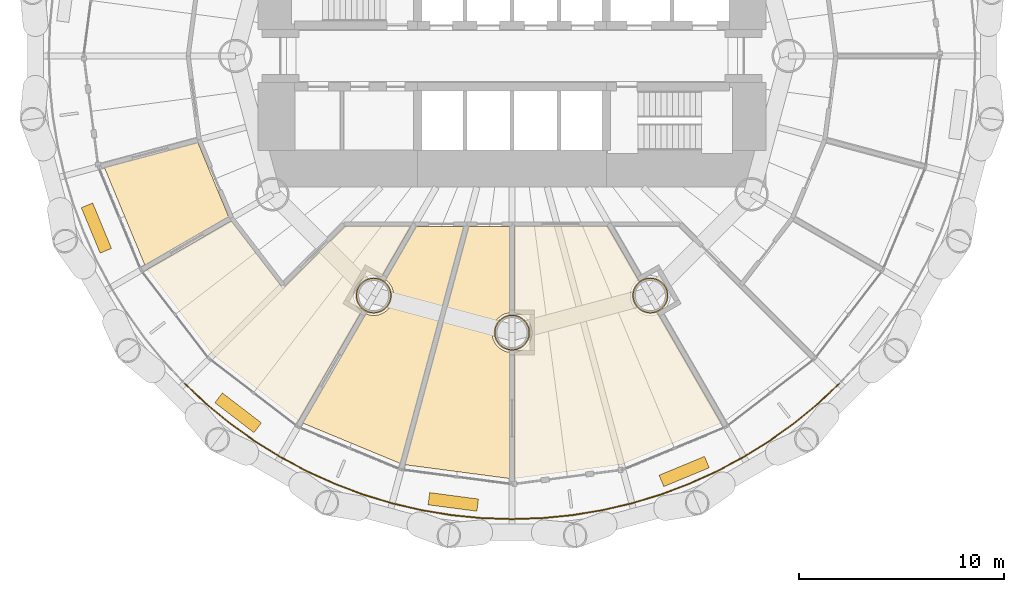
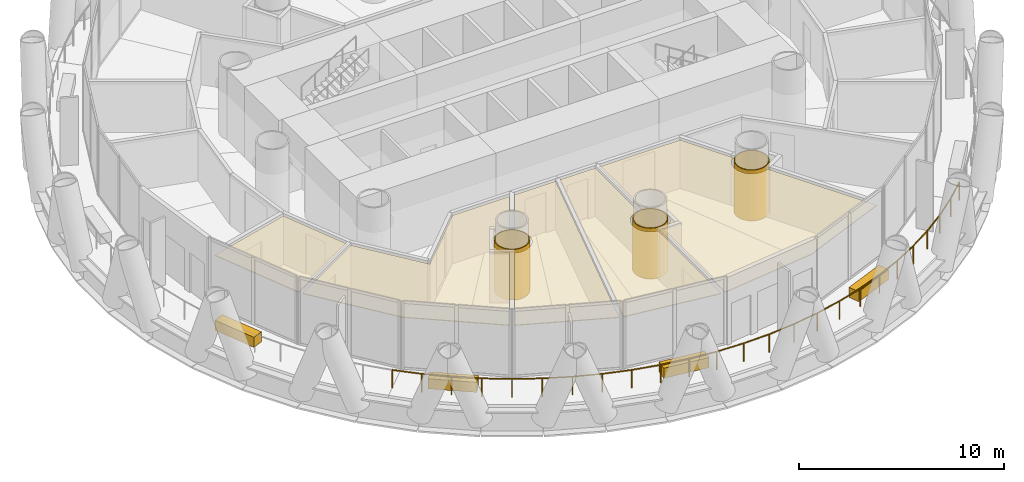
# One storey, part 13 of 15: 12 coverings, 1 railing.
"""IFC4 building model written with IfcOpenShell, lengths in metres."""

import ifcopenshell
import ifcopenshell.guid

model = None  # the IFC model being written
_history = None  # IfcOwnerHistory: only IFC2X3 demands one
_inside = {}  # id of a spatial element -> (the spatial element, [elements in it])
_under = {}  # id of a project, library or spatial element -> (it, [spatial elements below it])
_declared = {}  # id of a project -> (the project, [libraries it declares])
_typed = {}  # id of a type object -> (the type object, [elements of that type])
_made_of = {}  # id of a material, layer set ... -> (it, [elements and type objects made of it])


def new_model(schema):
    """Start an empty IFC model of exactly this schema.

    Asked for "IFC4X3", IfcOpenShell would pick the latest addendum, in which some entities
    have other attributes; the version numbers below select the first issue.
    IFC2X3 requires an IfcOwnerHistory on every rooted entity: one is made here for all.
    """
    global model, _history
    if schema == "IFC4X3":
        model = ifcopenshell.file(schema_version=(4, 3, 0, 0))
    else:
        model = ifcopenshell.file(schema=schema)
    _inside.clear()
    _under.clear()
    _declared.clear()
    _typed.clear()
    _made_of.clear()
    _history = None
    if model.schema == "IFC2X3":
        org = make("IfcOrganization", Name="unknown")
        user = make(
            "IfcPersonAndOrganization",
            ThePerson=make("IfcPerson", FamilyName="unknown"),
            TheOrganization=org,
        )
        app = make(
            "IfcApplication",
            ApplicationDeveloper=org,
            Version="unknown",
            ApplicationFullName="unknown",
            ApplicationIdentifier="unknown",
        )
        _history = make(
            "IfcOwnerHistory",
            OwningUser=user,
            OwningApplication=app,
            ChangeAction="ADDED",
            CreationDate=0,
        )
    return model


def make(cls, **values):
    """One entity of the class cls with the attributes given. An attribute that is None is left unset."""
    return model.create_entity(
        cls, **{name: value for name, value in values.items() if value is not None}
    )


def rooted(cls, **values):
    """An entity with a GlobalId (a new one), such as an element, a storey or a relation."""
    return make(cls, GlobalId=ifcopenshell.guid.new(), OwnerHistory=_history, **values)


def si_unit(unit_type, name, prefix=None):
    """IfcSIUnit, for example si_unit("LENGTHUNIT", "METRE", prefix="MILLI")."""
    return make("IfcSIUnit", UnitType=unit_type, Prefix=prefix, Name=name)


def assignment(units):
    """IfcUnitAssignment: the units of a project."""
    return None if units is None else make("IfcUnitAssignment", Units=units)


def point(xyz):
    """IfcCartesianPoint."""
    return None if xyz is None else make("IfcCartesianPoint", Coordinates=xyz)


def direction(xyz):
    """IfcDirection."""
    return None if xyz is None else make("IfcDirection", DirectionRatios=xyz)


def frame(location, z_axis=None, x_axis=None):
    """IfcAxis2Placement3D, a coordinate frame: its origin and axes. An axis left out is left unset."""
    return make(
        "IfcAxis2Placement3D",
        Location=point(location),
        Axis=direction(z_axis),
        RefDirection=direction(x_axis),
    )


def frame_2d(location, x_axis=None):
    """IfcAxis2Placement2D, a coordinate frame in the plane: its origin and x axis."""
    return make(
        "IfcAxis2Placement2D", Location=point(location), RefDirection=direction(x_axis)
    )


def origin():
    """The frame at (0, 0, 0) with its axes left unset."""
    return frame((0.0, 0.0, 0.0))


def origin_2d():
    """The frame at (0, 0) in the plane with its x axis left unset."""
    return frame_2d((0.0, 0.0))


def place(relative_to, where):
    """IfcLocalPlacement: puts the frame where relative to a parent placement (None: the world)."""
    return make(
        "IfcLocalPlacement", PlacementRelTo=relative_to, RelativePlacement=where
    )


def context(
    kind, dimensions, precision=None, world=None, true_north=None, identifier=None
):
    """IfcGeometricRepresentationContext, for example the 3D "Model" context."""
    return make(
        "IfcGeometricRepresentationContext",
        ContextIdentifier=identifier,
        ContextType=kind,
        CoordinateSpaceDimension=dimensions,
        Precision=precision,
        WorldCoordinateSystem=world,
        TrueNorth=true_north,
    )


def subcontext(parent, identifier, kind, view, scale=None):
    """IfcGeometricRepresentationSubContext, for example "Body" below "Model"."""
    return make(
        "IfcGeometricRepresentationSubContext",
        ContextIdentifier=identifier,
        ContextType=kind,
        ParentContext=parent,
        TargetScale=scale,
        TargetView=view,
    )


def project(units=None, contexts=None):
    """IfcProject with its units and contexts."""
    return rooted(
        "IfcProject",
        Name="project",
        RepresentationContexts=contexts,
        UnitsInContext=assignment(units),
    )


def spatial(cls, under=None, at=None, **own):
    """A site, building, storey or space (cls), placed at a placement, below another one or the project."""
    s = rooted(cls, ObjectPlacement=at, **own)
    if under is not None:
        _under.setdefault(under.id(), (under, []))[1].append(s)
    return s


def polyline(points):
    """IfcPolyline through the points."""
    return make("IfcPolyline", Points=[point(p) for p in points])


def profile(cls, at=None, kind="AREA", **sizes):
    """A parametric profile (cls). Its sizes go by their IFC names, for example OverallWidth=200.0."""
    return make(cls, ProfileType=kind, Position=at, **sizes)


def rectangle(**sizes):
    """IfcRectangleProfileDef."""
    return profile("IfcRectangleProfileDef", **sizes)


def circle(**sizes):
    """IfcCircleProfileDef."""
    return profile("IfcCircleProfileDef", **sizes)


def outline(outer, holes=None, kind="AREA"):
    """IfcArbitraryClosedProfileDef: a profile drawn as a closed curve; with holes, ...WithVoids."""
    if holes is None:
        return make("IfcArbitraryClosedProfileDef", ProfileType=kind, OuterCurve=outer)
    return make(
        "IfcArbitraryProfileDefWithVoids",
        ProfileType=kind,
        OuterCurve=outer,
        InnerCurves=holes,
    )


def extrude(swept, where, along, depth):
    """IfcExtrudedAreaSolid: the profile swept, set in the frame where, extruded along a direction by depth."""
    return make(
        "IfcExtrudedAreaSolid",
        SweptArea=swept,
        Position=where,
        ExtrudedDirection=direction(along),
        Depth=depth,
    )


def shape(context_of_items, identifier, shape_type, items):
    """IfcShapeRepresentation: the items that make up one representation, for example the "Body"."""
    return make(
        "IfcShapeRepresentation",
        ContextOfItems=context_of_items,
        RepresentationIdentifier=identifier,
        RepresentationType=shape_type,
        Items=items,
    )


def material(Name=None, Category=None):
    """IfcMaterial."""
    return make("IfcMaterial", Name=Name, Category=Category)


def layer(
    of_material, thickness, ventilated=None, Name=None, Category=None, Priority=None
):
    """IfcMaterialLayer: one layer of a wall or slab, of a material (None: an air gap)."""
    return make(
        "IfcMaterialLayer",
        Material=of_material,
        LayerThickness=thickness,
        IsVentilated=ventilated,
        Name=Name,
        Category=Category,
        Priority=Priority,
    )


def layer_set(layers, Name=None):
    """IfcMaterialLayerSet."""
    return make("IfcMaterialLayerSet", MaterialLayers=layers, LayerSetName=Name)


def made_of(thing, what):
    """Note that an element or type object is made of a material, layer set ...; save() writes the relation."""
    if what is not None:
        _made_of.setdefault(what.id(), (what, []))[1].append(thing)
    return thing


def type_object(cls, material=None, **own):
    """A type object (cls), such as IfcWallType, which elements share."""
    return made_of(rooted(cls, **own), material)


def element(
    cls,
    number,
    at=None,
    inside=None,
    cuts=None,
    type_object=None,
    material=None,
    context=None,
    identifier="Body",
    shape_type=None,
    held_by="IfcProductDefinitionShape",
    body=None,
    shapes=None,
    **own,
):
    """One element of the class cls, such as IfcWall. Its Tag is "e" and its number.

    at: its placement. inside: the storey or other place that contains it. cuts: it is an
    opening in that element (IfcRelVoidsElement). A single representation is given by context,
    identifier, shape_type and body (its items); several are given by shapes. held_by: the class
    of the entity that holds the representations. save() writes the other relations.
    """
    e = rooted(cls, Tag="e%d" % number, ObjectPlacement=at, **own)
    if body is not None:
        shapes = [shape(context, identifier, shape_type, body)]
    if shapes is not None:
        e.Representation = make(held_by, Representations=shapes)
    if inside is not None:
        _inside.setdefault(inside.id(), (inside, []))[1].append(e)
    if cuts is not None:
        rooted(
            "IfcRelVoidsElement", RelatingBuildingElement=cuts, RelatedOpeningElement=e
        )
    if type_object is not None:
        _typed.setdefault(type_object.id(), (type_object, []))[1].append(e)
    return made_of(e, material)


def aggregate(whole, parts):
    """IfcRelAggregates: a whole, such as a stair, and the parts it consists of."""
    return rooted("IfcRelAggregates", RelatingObject=whole, RelatedObjects=parts)


def save(model, path):
    """Write the relations noted so far, then the file.

    IfcRelAggregates (storeys below a building ...), IfcRelContainedInSpatialStructure (elements
    in a storey), IfcRelDefinesByType, IfcRelAssociatesMaterial and IfcRelDeclares: one each for
    every whole, place, type object, material and project.
    """
    for whole, parts in _under.values():
        aggregate(whole, parts)
    for where, things in _inside.values():
        rooted(
            "IfcRelContainedInSpatialStructure",
            RelatedElements=things,
            RelatingStructure=where,
        )
    for kind, things in _typed.values():
        rooted("IfcRelDefinesByType", RelatedObjects=things, RelatingType=kind)
    for what, things in _made_of.values():
        rooted("IfcRelAssociatesMaterial", RelatedObjects=things, RelatingMaterial=what)
    for by, libraries in _declared.values():
        rooted("IfcRelDeclares", RelatingContext=by, RelatedDefinitions=libraries)
    model.write(path)


model = new_model("IFC4")

# Units and contexts
model_context = context("Model", 3, precision=1e-05, world=origin(), true_north=direction((0.0, 1.0)))
body_context = subcontext(model_context, "Body", "Model", "MODEL_VIEW")
ifc_project = project(units=[si_unit("LENGTHUNIT", "METRE"), si_unit("AREAUNIT", "SQUARE_METRE"), si_unit("VOLUMEUNIT", "CUBIC_METRE"), si_unit("PLANEANGLEUNIT", "RADIAN"), si_unit("MASSUNIT", "GRAM", prefix="KILO")], contexts=[model_context])

# Site, building, storey
site_placement = place(None, origin())
site = spatial("IfcSite", under=ifc_project, at=site_placement, CompositionType="ELEMENT")
building_placement = place(site_placement, origin())
building = spatial("IfcBuilding", under=site, at=building_placement, Name="Qaws Media Tower", CompositionType="ELEMENT")
storey_placement = place(building_placement, frame((0.0, 0.0, 30.199951171875)))
storey = spatial("IfcBuildingStorey", under=building, at=storey_placement, Name="L05", CompositionType="ELEMENT", Elevation=30.199951171875)

# Coverings
ifc_material_1 = material(Name="40 perforated acoustic panels with mineral wool backing, suspended", Category="mineral fibre")
ifc_layer_1 = layer(ifc_material_1, 0.0400390625)
ifc_layer_set_1 = layer_set([ifc_layer_1], Name="Acoustic panel ceiling 40")
covering_type_1 = type_object("IfcCoveringType", Name="Acoustic panel ceiling 40", PredefinedType="CEILING", material=ifc_layer_set_1)
covering_1_placement = place(storey_placement, frame((0.0, 0.0, 2.85009765625)))
element("IfcCovering", 1, at=covering_1_placement, inside=storey, type_object=covering_type_1, Name="CL3 ceiling L05-06 Control room", PredefinedType="CEILING", context=body_context, shape_type="SweptSolid", body=[
    extrude(outline(polyline([(40.111328125, 44.554443359375), (44.672119140625, 45.776611328125), (46.175048828125, 42.148193359375), (42.0859375, 39.787109375), (40.111328125, 44.554443359375)])), origin(), (0.0, 0.0, 1.0), 0.0400390625),
])
covering_2_placement = place(storey_placement, frame((0.0, 0.0, 2.85009765625)))
element("IfcCovering", 2, at=covering_2_placement, inside=storey, type_object=covering_type_1, Name="CL3 ceiling L05-07 Radio studio", PredefinedType="CEILING", context=body_context, shape_type="SweptSolid", body=[
    extrude(outline(polyline([(48.816650390625, 38.657470703125), (51.8466796875, 41.6875), (55.07080078125, 41.6875), (53.635498046875, 39.201171875), (53.622314453125, 39.20751953125), (53.501708984375, 39.24853515625), (53.376953125, 39.273193359375), (53.25, 39.28173828125), (53.123046875, 39.273193359375), (52.998291015625, 39.24853515625), (52.877685546875, 39.20751953125), (52.763427734375, 39.1513671875), (52.65771484375, 39.08056640625), (52.56201171875, 38.99658203125), (52.47802734375, 38.90087890625), (52.407470703125, 38.795166015625), (52.35107421875, 38.680908203125), (52.310302734375, 38.560546875), (52.285400390625, 38.435791015625), (52.277099609375, 38.30859375), (52.285400390625, 38.181640625), (52.310302734375, 38.056884765625), (52.35107421875, 37.936279296875), (52.407470703125, 37.822265625), (52.47802734375, 37.71630859375), (52.56201171875, 37.62060546875), (52.65771484375, 37.53662109375), (52.669921875, 37.528564453125), (49.59228515625, 32.198486328125), (45.40869140625, 35.40869140625), (42.198486328125, 39.59228515625), (46.28759765625, 41.953125), (48.816650390625, 38.657470703125)])), origin(), (0.0, 0.0, 1.0), 0.0400390625),
])
covering_3_placement = place(storey_placement, frame((0.0, 0.0, 2.85009765625)))
element("IfcCovering", 3, at=covering_3_placement, inside=storey, type_object=covering_type_1, Name="CL3 ceiling L05-08 Control room", PredefinedType="CEILING", context=body_context, shape_type="SweptSolid", body=[
    extrude(outline(polyline([(49.787109375, 32.0859375), (52.864501953125, 37.416015625), (52.877685546875, 37.40966796875), (52.998291015625, 37.368896484375), (53.123046875, 37.343994140625), (53.25, 37.335693359375), (53.376953125, 37.343994140625), (53.501708984375, 37.368896484375), (53.622314453125, 37.40966796875), (53.736572265625, 37.466064453125), (53.84228515625, 37.53662109375), (53.93798828125, 37.62060546875), (54.02197265625, 37.71630859375), (54.092529296875, 37.822265625), (54.14892578125, 37.936279296875), (54.189697265625, 38.056884765625), (54.214599609375, 38.181640625), (54.222900390625, 38.30859375), (54.214599609375, 38.435791015625), (54.189697265625, 38.560546875), (54.14892578125, 38.680908203125), (54.092529296875, 38.795166015625), (54.02197265625, 38.90087890625), (53.93798828125, 38.99658203125), (53.84228515625, 39.08056640625), (53.830322265625, 39.088623046875), (55.330810546875, 41.6875), (57.65625, 41.6875), (54.554443359375, 30.111328125), (49.787109375, 32.0859375)])), origin(), (0.0, 0.0, 1.0), 0.0400390625),
])
covering_4_placement = place(storey_placement, frame((0.0, 0.0, 2.85009765625)))
element("IfcCovering", 4, at=covering_4_placement, inside=storey, type_object=covering_type_1, Name="CL3 ceiling L05-09 Control room", PredefinedType="CEILING", context=body_context, shape_type="SweptSolid", body=[
    extrude(outline(polyline([(54.771728515625, 30.052978515625), (57.88916015625, 41.6875), (59.887451171875, 41.6875), (59.887451171875, 37.465576171875), (59.873046875, 37.464599609375), (59.748291015625, 37.439697265625), (59.627685546875, 37.39892578125), (59.513427734375, 37.342529296875), (59.40771484375, 37.27197265625), (59.31201171875, 37.18798828125), (59.22802734375, 37.09228515625), (59.157470703125, 36.986572265625), (59.10107421875, 36.872314453125), (59.060302734375, 36.751708984375), (59.035400390625, 36.626953125), (59.027099609375, 36.5), (59.035400390625, 36.373046875), (59.060302734375, 36.248291015625), (59.10107421875, 36.127685546875), (59.157470703125, 36.013427734375), (59.22802734375, 35.90771484375), (59.31201171875, 35.81201171875), (59.40771484375, 35.72802734375), (59.513427734375, 35.657470703125), (59.627685546875, 35.60107421875), (59.748291015625, 35.560302734375), (59.873046875, 35.535400390625), (59.887451171875, 35.534423828125), (59.887451171875, 29.379638671875), (54.771728515625, 30.052978515625)])), origin(), (0.0, 0.0, 1.0), 0.0400390625),
])
covering_5_placement = place(storey_placement, frame((0.0, 0.0, 2.85009765625)))
element("IfcCovering", 5, at=covering_5_placement, inside=storey, type_object=covering_type_1, Name="CL3 ceiling L05-10 Radio studio", PredefinedType="CEILING", context=body_context, shape_type="SweptSolid", body=[
    extrude(outline(polyline([(65.3408203125, 30.06787109375), (60.112548828125, 29.379638671875), (60.112548828125, 35.534423828125), (60.126953125, 35.535400390625), (60.251708984375, 35.560302734375), (60.372314453125, 35.60107421875), (60.486572265625, 35.657470703125), (60.59228515625, 35.72802734375), (60.68798828125, 35.81201171875), (60.77197265625, 35.90771484375), (60.842529296875, 36.013427734375), (60.89892578125, 36.127685546875), (60.939697265625, 36.248291015625), (60.964599609375, 36.373046875), (60.972900390625, 36.5), (60.964599609375, 36.626953125), (60.939697265625, 36.751708984375), (60.89892578125, 36.872314453125), (60.842529296875, 36.986572265625), (60.77197265625, 37.09228515625), (60.68798828125, 37.18798828125), (60.59228515625, 37.27197265625), (60.486572265625, 37.342529296875), (60.372314453125, 37.39892578125), (60.251708984375, 37.439697265625), (60.126953125, 37.464599609375), (60.112548828125, 37.465576171875), (60.112548828125, 41.6875), (64.669189453125, 41.6875), (66.169677734375, 39.088623046875), (66.15771484375, 39.08056640625), (66.06201171875, 38.99658203125), (65.97802734375, 38.90087890625), (65.907470703125, 38.795166015625), (65.85107421875, 38.680908203125), (65.810302734375, 38.560546875), (65.785400390625, 38.435791015625), (65.777099609375, 38.30859375), (65.785400390625, 38.181640625), (65.810302734375, 38.056884765625), (65.85107421875, 37.936279296875), (65.907470703125, 37.822265625), (65.97802734375, 37.71630859375), (66.06201171875, 37.62060546875), (66.15771484375, 37.53662109375), (66.263427734375, 37.466064453125), (66.377685546875, 37.40966796875), (66.498291015625, 37.368896484375), (66.623046875, 37.343994140625), (66.75, 37.335693359375), (66.876953125, 37.343994140625), (67.001708984375, 37.368896484375), (67.122314453125, 37.40966796875), (67.135498046875, 37.416015625), (70.212890625, 32.0859375), (65.3408203125, 30.06787109375)])), origin(), (0.0, 0.0, 1.0), 0.0400390625),
])

# Railing
ifc_material_2 = material(Name="Stainless steel and glass guard", Category="steel")
railing_type = type_object("IfcRailingType", Name="Balcony guard 1100", PredefinedType="GUARDRAIL", material=ifc_material_2)
railing_placement = place(storey_placement, frame((44.019287109375, 34.019287109375, 0.0)))
element("IfcRailing", 6, at=railing_placement, inside=storey, type_object=railing_type, Name="GR1 balcony guard L05-3", PredefinedType="GUARDRAIL", context=body_context, shape_type="SweptSolid", body=[
    extrude(circle(Radius=0.02392578125, at=origin_2d()), frame((0.0, 0.0, 1.076171875), z_axis=(0.729918010526, -0.683534708636, 0.0), x_axis=(0.683534708636, 0.729918010526, 0.0)), (0.0, 0.0, 1.0), 1.47900390625),
    extrude(circle(Radius=0.02392578125, at=origin_2d()), frame((1.07958984375, -1.010986328125, 1.076171875), z_axis=(0.773044305148, -0.6343520334, 0.0), x_axis=(0.6343520334, 0.773044305148, 0.0)), (0.0, 0.0, 1.0), 1.478759765625),
    extrude(circle(Radius=0.02392578125, at=origin_2d()), frame((2.22265625, -1.948974609375, 1.076171875), z_axis=(0.812806706409, -0.582533482314, 0.0), x_axis=(0.582533482314, 0.812806706409, 0.0)), (0.0, 0.0, 1.0), 1.47900390625),
    extrude(circle(Radius=0.02392578125, at=origin_2d()), frame((3.4248046875, -2.810546875, 1.076171875), z_axis=(0.849183285446, -0.528098236808, 0.0), x_axis=(0.528098236808, 0.849183285446, 0.0)), (0.0, 0.0, 1.0), 1.47900390625),
    extrude(circle(Radius=0.02392578125, at=origin_2d()), frame((4.6806640625, -3.591552734375, 1.076171875), z_axis=(0.881982540226, -0.471282079795, 0.0), x_axis=(0.471282079795, 0.881982540226, 0.0)), (0.0, 0.0, 1.0), 1.47900390625),
    extrude(circle(Radius=0.02392578125, at=origin_2d()), frame((5.985107421875, -4.28857421875, 1.076171875), z_axis=(0.910846457391, -0.412745358615, 0.0), x_axis=(0.412745358615, 0.910846457391, 0.0)), (0.0, 0.0, 1.0), 1.478759765625),
    extrude(circle(Radius=0.02392578125, at=origin_2d()), frame((7.33203125, -4.89892578125, 1.076171875), z_axis=(0.935887448914, -0.352299138469, 0.0), x_axis=(0.352299138469, 0.935887448914, 0.0)), (0.0, 0.0, 1.0), 1.478759765625),
    extrude(circle(Radius=0.02392578125, at=origin_2d()), frame((8.716064453125, -5.419921875, 1.076171875), z_axis=(0.956963294231, -0.290208982449, 0.0), x_axis=(0.290208982449, 0.956963294231, 0.0)), (0.0, 0.0, 1.0), 1.47900390625),
    extrude(circle(Radius=0.02392578125, at=origin_2d()), frame((10.13134765625, -5.84912109375, 1.076171875), z_axis=(0.973865554702, -0.227125254792, 0.0), x_axis=(0.227125254792, 0.973865554702, 0.0)), (0.0, 0.0, 1.0), 1.47900390625),
    extrude(circle(Radius=0.02392578125, at=origin_2d()), frame((11.57177734375, -6.18505859375, 1.076171875), z_axis=(0.986633820175, -0.162953075722, 0.0), x_axis=(0.162953075722, 0.986633820175, 0.0)), (0.0, 0.0, 1.0), 1.478759765625),
    extrude(circle(Radius=0.02392578125, at=origin_2d()), frame((13.03076171875, -6.426025390625, 1.076171875), z_axis=(0.995197674488, -0.097885589811, 0.0), x_axis=(0.097885589811, 0.995197674488, 0.0)), (0.0, 0.0, 1.0), 1.47900390625),
    extrude(circle(Radius=0.02392578125, at=origin_2d()), frame((14.502685546875, -6.57080078125, 1.076171875), z_axis=(0.999460191698, -0.032853085257, 0.0), x_axis=(0.032853085257, 0.999460191698, 0.0)), (0.0, 0.0, 1.0), 1.478759765625),
    extrude(circle(Radius=0.02392578125, at=origin_2d()), frame((15.980712890625, -6.619384765625, 1.076171875), z_axis=(0.999460191698, 0.032853085257, 0.0), x_axis=(-0.032853085257, 0.999460191698, 0.0)), (0.0, 0.0, 1.0), 1.478759765625),
    extrude(circle(Radius=0.02392578125, at=origin_2d()), frame((17.458740234375, -6.57080078125, 1.076171875), z_axis=(0.995197674488, 0.097885589811, 0.0), x_axis=(-0.097885589811, 0.995197674488, 0.0)), (0.0, 0.0, 1.0), 1.47900390625),
    extrude(circle(Radius=0.02392578125, at=origin_2d()), frame((18.9306640625, -6.426025390625, 1.076171875), z_axis=(0.986633820175, 0.162953075722, 0.0), x_axis=(-0.162953075722, 0.986633820175, 0.0)), (0.0, 0.0, 1.0), 1.478759765625),
    extrude(circle(Radius=0.02392578125, at=origin_2d()), frame((20.3896484375, -6.18505859375, 1.076171875), z_axis=(0.973865554702, 0.227125254792, 0.0), x_axis=(-0.227125254792, 0.973865554702, 0.0)), (0.0, 0.0, 1.0), 1.47900390625),
    extrude(circle(Radius=0.02392578125, at=origin_2d()), frame((21.830078125, -5.84912109375, 1.076171875), z_axis=(0.956963294231, 0.290208982449, 0.0), x_axis=(-0.290208982449, 0.956963294231, 0.0)), (0.0, 0.0, 1.0), 1.47900390625),
    extrude(circle(Radius=0.02392578125, at=origin_2d()), frame((23.245361328125, -5.419921875, 1.076171875), z_axis=(0.935887448914, 0.352299138469, 0.0), x_axis=(-0.352299138469, 0.935887448914, 0.0)), (0.0, 0.0, 1.0), 1.478759765625),
    extrude(circle(Radius=0.02392578125, at=origin_2d()), frame((24.62939453125, -4.89892578125, 1.076171875), z_axis=(0.910846457391, 0.412745358615, 0.0), x_axis=(-0.412745358615, 0.910846457391, 0.0)), (0.0, 0.0, 1.0), 1.478759765625),
    extrude(circle(Radius=0.02392578125, at=origin_2d()), frame((25.976318359375, -4.28857421875, 1.076171875), z_axis=(0.881982540226, 0.471282079795, 0.0), x_axis=(-0.471282079795, 0.881982540226, 0.0)), (0.0, 0.0, 1.0), 1.47900390625),
    extrude(circle(Radius=0.02392578125, at=origin_2d()), frame((27.28076171875, -3.591552734375, 1.076171875), z_axis=(0.849183285446, 0.528098236808, 0.0), x_axis=(-0.528098236808, 0.849183285446, 0.0)), (0.0, 0.0, 1.0), 1.47900390625),
    extrude(circle(Radius=0.02392578125, at=origin_2d()), frame((28.53662109375, -2.810546875, 1.076171875), z_axis=(0.812806706409, 0.582533482314, 0.0), x_axis=(-0.582533482314, 0.812806706409, 0.0)), (0.0, 0.0, 1.0), 1.47900390625),
    extrude(circle(Radius=0.02392578125, at=origin_2d()), frame((29.73876953125, -1.948974609375, 1.076171875), z_axis=(0.773044305148, 0.6343520334, 0.0), x_axis=(-0.6343520334, 0.773044305148, 0.0)), (0.0, 0.0, 1.0), 1.478759765625),
    extrude(circle(Radius=0.02392578125, at=origin_2d()), frame((30.8818359375, -1.010986328125, 1.076171875), z_axis=(0.729918010526, 0.683534708636, 0.0), x_axis=(-0.683534708636, 0.729918010526, 0.0)), (0.0, 0.0, 1.0), 1.47900390625),
    extrude(circle(Radius=0.02099609375, at=origin_2d()), origin(), (0.0, 0.0, 1.0), 1.052001953125),
    extrude(circle(Radius=0.02099609375, at=origin_2d()), frame((1.07958984375, -1.010986328125, 0.0)), (0.0, 0.0, 1.0), 1.052001953125),
    extrude(circle(Radius=0.02099609375, at=origin_2d()), frame((2.22265625, -1.948974609375, 0.0)), (0.0, 0.0, 1.0), 1.052001953125),
    extrude(circle(Radius=0.02099609375, at=origin_2d()), frame((3.4248046875, -2.810546875, 0.0)), (0.0, 0.0, 1.0), 1.052001953125),
    extrude(circle(Radius=0.02099609375, at=origin_2d()), frame((4.6806640625, -3.591552734375, 0.0)), (0.0, 0.0, 1.0), 1.052001953125),
    extrude(circle(Radius=0.02099609375, at=origin_2d()), frame((5.985107421875, -4.28857421875, 0.0)), (0.0, 0.0, 1.0), 1.052001953125),
    extrude(circle(Radius=0.02099609375, at=origin_2d()), frame((7.33203125, -4.89892578125, 0.0)), (0.0, 0.0, 1.0), 1.052001953125),
    extrude(circle(Radius=0.02099609375, at=origin_2d()), frame((8.716064453125, -5.419921875, 0.0)), (0.0, 0.0, 1.0), 1.052001953125),
    extrude(circle(Radius=0.02099609375, at=origin_2d()), frame((10.13134765625, -5.84912109375, 0.0)), (0.0, 0.0, 1.0), 1.052001953125),
    extrude(circle(Radius=0.02099609375, at=origin_2d()), frame((11.57177734375, -6.18505859375, 0.0)), (0.0, 0.0, 1.0), 1.052001953125),
    extrude(circle(Radius=0.02099609375, at=origin_2d()), frame((13.03076171875, -6.426025390625, 0.0)), (0.0, 0.0, 1.0), 1.052001953125),
    extrude(circle(Radius=0.02099609375, at=origin_2d()), frame((14.502685546875, -6.57080078125, 0.0)), (0.0, 0.0, 1.0), 1.052001953125),
    extrude(circle(Radius=0.02099609375, at=origin_2d()), frame((15.980712890625, -6.619384765625, 0.0)), (0.0, 0.0, 1.0), 1.052001953125),
    extrude(circle(Radius=0.02099609375, at=origin_2d()), frame((17.458740234375, -6.57080078125, 0.0)), (0.0, 0.0, 1.0), 1.052001953125),
    extrude(circle(Radius=0.02099609375, at=origin_2d()), frame((18.9306640625, -6.426025390625, 0.0)), (0.0, 0.0, 1.0), 1.052001953125),
    extrude(circle(Radius=0.02099609375, at=origin_2d()), frame((20.3896484375, -6.18505859375, 0.0)), (0.0, 0.0, 1.0), 1.052001953125),
    extrude(circle(Radius=0.02099609375, at=origin_2d()), frame((21.830078125, -5.84912109375, 0.0)), (0.0, 0.0, 1.0), 1.052001953125),
    extrude(circle(Radius=0.02099609375, at=origin_2d()), frame((23.245361328125, -5.419921875, 0.0)), (0.0, 0.0, 1.0), 1.052001953125),
    extrude(circle(Radius=0.02099609375, at=origin_2d()), frame((24.62939453125, -4.89892578125, 0.0)), (0.0, 0.0, 1.0), 1.052001953125),
    extrude(circle(Radius=0.02099609375, at=origin_2d()), frame((25.976318359375, -4.28857421875, 0.0)), (0.0, 0.0, 1.0), 1.052001953125),
    extrude(circle(Radius=0.02099609375, at=origin_2d()), frame((27.28076171875, -3.591552734375, 0.0)), (0.0, 0.0, 1.0), 1.052001953125),
    extrude(circle(Radius=0.02099609375, at=origin_2d()), frame((28.53662109375, -2.810546875, 0.0)), (0.0, 0.0, 1.0), 1.052001953125),
    extrude(circle(Radius=0.02099609375, at=origin_2d()), frame((29.73876953125, -1.948974609375, 0.0)), (0.0, 0.0, 1.0), 1.052001953125),
    extrude(circle(Radius=0.02099609375, at=origin_2d()), frame((30.8818359375, -1.010986328125, 0.0)), (0.0, 0.0, 1.0), 1.052001953125),
    extrude(circle(Radius=0.02099609375, at=origin_2d()), frame((31.96142578125, 0.0, 0.0)), (0.0, 0.0, 1.0), 1.052001953125),
])

# Coverings
ifc_material_3 = material(Name="Two layers 15 fire-rated gypsum board on steel framing", Category="steel")
ifc_layer_2 = layer(ifc_material_3, 0.050048828125)
ifc_layer_set_2 = layer_set([ifc_layer_2], Name="Column fire casing")
covering_type_2 = type_object("IfcCoveringType", Name="Column fire casing", PredefinedType="CLADDING", material=ifc_layer_set_2)
covering_6_placement = place(storey_placement, origin())
element("IfcCovering", 7, at=covering_6_placement, inside=storey, type_object=covering_type_2, Name="CC1 column casing L05", PredefinedType="CLADDING", context=body_context, shape_type="SweptSolid", body=[
    extrude(outline(polyline([(54.117919921875, 38.30859375), (54.110595703125, 38.1953125), (54.08837890625, 38.083984375), (54.052001953125, 37.9765625), (54.001708984375, 37.874755859375), (53.938720703125, 37.7802734375), (53.86376953125, 37.69482421875), (53.7783203125, 37.6201171875), (53.68408203125, 37.556884765625), (53.582275390625, 37.506591796875), (53.474609375, 37.47021484375), (53.36328125, 37.447998046875), (53.25, 37.440673828125), (53.13671875, 37.447998046875), (53.025390625, 37.47021484375), (52.917724609375, 37.506591796875), (52.81591796875, 37.556884765625), (52.7216796875, 37.6201171875), (52.63623046875, 37.69482421875), (52.561279296875, 37.7802734375), (52.498291015625, 37.874755859375), (52.447998046875, 37.9765625), (52.41162109375, 38.083984375), (52.389404296875, 38.1953125), (52.382080078125, 38.30859375), (52.389404296875, 38.422119140625), (52.41162109375, 38.533203125), (52.447998046875, 38.640869140625), (52.498291015625, 38.74267578125), (52.561279296875, 38.837158203125), (52.63623046875, 38.92236328125), (52.7216796875, 38.997314453125), (52.81591796875, 39.060302734375), (52.917724609375, 39.110595703125), (53.025390625, 39.147216796875), (53.13671875, 39.169189453125), (53.25, 39.1767578125), (53.36328125, 39.169189453125), (53.474609375, 39.147216796875), (53.582275390625, 39.110595703125), (53.68408203125, 39.060302734375), (53.7783203125, 38.997314453125), (53.86376953125, 38.92236328125), (53.938720703125, 38.837158203125), (54.001708984375, 38.74267578125), (54.052001953125, 38.640869140625), (54.08837890625, 38.533203125), (54.110595703125, 38.422119140625), (54.117919921875, 38.30859375)]), holes=[polyline([(54.06591796875, 38.30859375), (54.05908203125, 38.2021484375), (54.0380859375, 38.097412109375), (54.00390625, 37.996337890625), (53.956787109375, 37.900634765625), (53.8974609375, 37.81201171875), (53.826904296875, 37.731689453125), (53.74658203125, 37.661376953125), (53.657958984375, 37.60205078125), (53.562255859375, 37.5546875), (53.461181640625, 37.5205078125), (53.3564453125, 37.49951171875), (53.25, 37.49267578125), (53.1435546875, 37.49951171875), (53.038818359375, 37.5205078125), (52.937744140625, 37.5546875), (52.842041015625, 37.60205078125), (52.75341796875, 37.661376953125), (52.673095703125, 37.731689453125), (52.6025390625, 37.81201171875), (52.543212890625, 37.900634765625), (52.49609375, 37.996337890625), (52.4619140625, 38.097412109375), (52.44091796875, 38.2021484375), (52.43408203125, 38.30859375), (52.44091796875, 38.415283203125), (52.4619140625, 38.52001953125), (52.49609375, 38.620849609375), (52.543212890625, 38.716796875), (52.6025390625, 38.805419921875), (52.673095703125, 38.8857421875), (52.75341796875, 38.9560546875), (52.842041015625, 39.015380859375), (52.937744140625, 39.0625), (53.038818359375, 39.096923828125), (53.1435546875, 39.11767578125), (53.25, 39.124755859375), (53.3564453125, 39.11767578125), (53.461181640625, 39.096923828125), (53.562255859375, 39.0625), (53.657958984375, 39.015380859375), (53.74658203125, 38.9560546875), (53.826904296875, 38.8857421875), (53.8974609375, 38.805419921875), (53.956787109375, 38.716796875), (54.00390625, 38.620849609375), (54.0380859375, 38.52001953125), (54.05908203125, 38.415283203125), (54.06591796875, 38.30859375)])]), origin(), (0.0, 0.0, 1.0), 3.02001953125),
])
covering_7_placement = place(storey_placement, origin())
element("IfcCovering", 8, at=covering_7_placement, inside=storey, type_object=covering_type_2, Name="CC1 column casing L05", PredefinedType="CLADDING", context=body_context, shape_type="SweptSolid", body=[
    extrude(outline(polyline([(60.867919921875, 36.5), (60.860595703125, 36.38671875), (60.83837890625, 36.275390625), (60.802001953125, 36.167724609375), (60.751708984375, 36.06591796875), (60.688720703125, 35.9716796875), (60.61376953125, 35.88623046875), (60.5283203125, 35.811279296875), (60.43408203125, 35.748291015625), (60.332275390625, 35.697998046875), (60.224609375, 35.66162109375), (60.11328125, 35.639404296875), (60.0, 35.632080078125), (59.88671875, 35.639404296875), (59.775390625, 35.66162109375), (59.667724609375, 35.697998046875), (59.56591796875, 35.748291015625), (59.4716796875, 35.811279296875), (59.38623046875, 35.88623046875), (59.311279296875, 35.9716796875), (59.248291015625, 36.06591796875), (59.197998046875, 36.167724609375), (59.16162109375, 36.275390625), (59.139404296875, 36.38671875), (59.132080078125, 36.5), (59.139404296875, 36.61328125), (59.16162109375, 36.724609375), (59.197998046875, 36.832275390625), (59.248291015625, 36.93408203125), (59.311279296875, 37.0283203125), (59.38623046875, 37.11376953125), (59.4716796875, 37.188720703125), (59.56591796875, 37.251708984375), (59.667724609375, 37.302001953125), (59.775390625, 37.33837890625), (59.88671875, 37.360595703125), (60.0, 37.367919921875), (60.11328125, 37.360595703125), (60.224609375, 37.33837890625), (60.332275390625, 37.302001953125), (60.43408203125, 37.251708984375), (60.5283203125, 37.188720703125), (60.61376953125, 37.11376953125), (60.688720703125, 37.0283203125), (60.751708984375, 36.93408203125), (60.802001953125, 36.832275390625), (60.83837890625, 36.724609375), (60.860595703125, 36.61328125), (60.867919921875, 36.5)]), holes=[polyline([(60.81591796875, 36.5), (60.80908203125, 36.3935546875), (60.7880859375, 36.288818359375), (60.75390625, 36.187744140625), (60.706787109375, 36.092041015625), (60.6474609375, 36.00341796875), (60.576904296875, 35.923095703125), (60.49658203125, 35.8525390625), (60.407958984375, 35.793212890625), (60.312255859375, 35.74609375), (60.211181640625, 35.7119140625), (60.1064453125, 35.69091796875), (60.0, 35.68408203125), (59.8935546875, 35.69091796875), (59.788818359375, 35.7119140625), (59.687744140625, 35.74609375), (59.592041015625, 35.793212890625), (59.50341796875, 35.8525390625), (59.423095703125, 35.923095703125), (59.3525390625, 36.00341796875), (59.293212890625, 36.092041015625), (59.24609375, 36.187744140625), (59.2119140625, 36.288818359375), (59.19091796875, 36.3935546875), (59.18408203125, 36.5), (59.19091796875, 36.6064453125), (59.2119140625, 36.711181640625), (59.24609375, 36.812255859375), (59.293212890625, 36.907958984375), (59.3525390625, 36.99658203125), (59.423095703125, 37.076904296875), (59.50341796875, 37.1474609375), (59.592041015625, 37.206787109375), (59.687744140625, 37.25390625), (59.788818359375, 37.2880859375), (59.8935546875, 37.30908203125), (60.0, 37.31591796875), (60.1064453125, 37.30908203125), (60.211181640625, 37.2880859375), (60.312255859375, 37.25390625), (60.407958984375, 37.206787109375), (60.49658203125, 37.1474609375), (60.576904296875, 37.076904296875), (60.6474609375, 36.99658203125), (60.706787109375, 36.907958984375), (60.75390625, 36.812255859375), (60.7880859375, 36.711181640625), (60.80908203125, 36.6064453125), (60.81591796875, 36.5)])]), origin(), (0.0, 0.0, 1.0), 3.02001953125),
])
covering_8_placement = place(storey_placement, origin())
element("IfcCovering", 9, at=covering_8_placement, inside=storey, type_object=covering_type_2, Name="CC1 column casing L05", PredefinedType="CLADDING", context=body_context, shape_type="SweptSolid", body=[
    extrude(outline(polyline([(67.617919921875, 38.30859375), (67.610595703125, 38.1953125), (67.58837890625, 38.083984375), (67.552001953125, 37.9765625), (67.501708984375, 37.874755859375), (67.438720703125, 37.7802734375), (67.36376953125, 37.69482421875), (67.2783203125, 37.6201171875), (67.18408203125, 37.556884765625), (67.082275390625, 37.506591796875), (66.974609375, 37.47021484375), (66.86328125, 37.447998046875), (66.75, 37.440673828125), (66.63671875, 37.447998046875), (66.525390625, 37.47021484375), (66.417724609375, 37.506591796875), (66.31591796875, 37.556884765625), (66.2216796875, 37.6201171875), (66.13623046875, 37.69482421875), (66.061279296875, 37.7802734375), (65.998291015625, 37.874755859375), (65.947998046875, 37.9765625), (65.91162109375, 38.083984375), (65.889404296875, 38.1953125), (65.882080078125, 38.30859375), (65.889404296875, 38.422119140625), (65.91162109375, 38.533203125), (65.947998046875, 38.640869140625), (65.998291015625, 38.74267578125), (66.061279296875, 38.837158203125), (66.13623046875, 38.92236328125), (66.2216796875, 38.997314453125), (66.31591796875, 39.060302734375), (66.417724609375, 39.110595703125), (66.525390625, 39.147216796875), (66.63671875, 39.169189453125), (66.75, 39.1767578125), (66.86328125, 39.169189453125), (66.974609375, 39.147216796875), (67.082275390625, 39.110595703125), (67.18408203125, 39.060302734375), (67.2783203125, 38.997314453125), (67.36376953125, 38.92236328125), (67.438720703125, 38.837158203125), (67.501708984375, 38.74267578125), (67.552001953125, 38.640869140625), (67.58837890625, 38.533203125), (67.610595703125, 38.422119140625), (67.617919921875, 38.30859375)]), holes=[polyline([(67.56591796875, 38.30859375), (67.55908203125, 38.2021484375), (67.5380859375, 38.097412109375), (67.50390625, 37.996337890625), (67.456787109375, 37.900634765625), (67.3974609375, 37.81201171875), (67.326904296875, 37.731689453125), (67.24658203125, 37.661376953125), (67.157958984375, 37.60205078125), (67.062255859375, 37.5546875), (66.961181640625, 37.5205078125), (66.8564453125, 37.49951171875), (66.75, 37.49267578125), (66.6435546875, 37.49951171875), (66.538818359375, 37.5205078125), (66.437744140625, 37.5546875), (66.342041015625, 37.60205078125), (66.25341796875, 37.661376953125), (66.173095703125, 37.731689453125), (66.1025390625, 37.81201171875), (66.043212890625, 37.900634765625), (65.99609375, 37.996337890625), (65.9619140625, 38.097412109375), (65.94091796875, 38.2021484375), (65.93408203125, 38.30859375), (65.94091796875, 38.415283203125), (65.9619140625, 38.52001953125), (65.99609375, 38.620849609375), (66.043212890625, 38.716796875), (66.1025390625, 38.805419921875), (66.173095703125, 38.8857421875), (66.25341796875, 38.9560546875), (66.342041015625, 39.015380859375), (66.437744140625, 39.0625), (66.538818359375, 39.096923828125), (66.6435546875, 39.11767578125), (66.75, 39.124755859375), (66.8564453125, 39.11767578125), (66.961181640625, 39.096923828125), (67.062255859375, 39.0625), (67.157958984375, 39.015380859375), (67.24658203125, 38.9560546875), (67.326904296875, 38.8857421875), (67.3974609375, 38.805419921875), (67.456787109375, 38.716796875), (67.50390625, 38.620849609375), (67.5380859375, 38.52001953125), (67.55908203125, 38.415283203125), (67.56591796875, 38.30859375)])]), origin(), (0.0, 0.0, 1.0), 3.02001953125),
])
ifc_material_4 = material(Name="Precast concrete planter with trailing planting", Category="concrete")
ifc_layer_3 = layer(ifc_material_4, 0.60009765625)
ifc_layer_set_3 = layer_set([ifc_layer_3], Name="Planter 2400x600")
covering_type_3 = type_object("IfcCoveringType", Name="Planter 2400x600", PredefinedType="USERDEFINED", material=ifc_layer_set_3)
for number, where, z_axis, x_axis, name in (
    (10, (39.720947265625, 41.60009765625, 0.0), (0.0, 0.0, 1.0), (0.382683432365, -0.923879532511, 0.0), "PL1 balcony planter L05-07"),
    (11, (46.6376953125, 32.5859375, 0.0), (0.0, 0.0, 1.0), (0.793353340291, -0.608761429009, 0.0), "PL1 balcony planter L05-08"),
    (12, (57.135009765625, 28.23779296875, 0.0), (0.0, 0.0, 1.0), (0.991444861374, -0.13052619222, 0.0), "PL1 balcony planter L05-09"),
    (13, (68.39990234375, 29.720947265625, 0.0), (0.0, 0.0, 1.0), (0.923879532511, 0.382683432365, 0.0), "PL1 balcony planter L05-10"),
):
    element("IfcCovering", number, at=place(storey_placement, frame(where, z_axis=z_axis, x_axis=x_axis)), inside=storey, type_object=covering_type_3, Name=name, ObjectType="PLANTER", PredefinedType="USERDEFINED", context=body_context, shape_type="SweptSolid", body=[
        extrude(rectangle(XDim=2.39990234375, YDim=0.60009765625, at=origin_2d()), origin(), (0.0, 0.0, 1.0), 0.60009765625),
    ])

save(model, "model.ifc")
